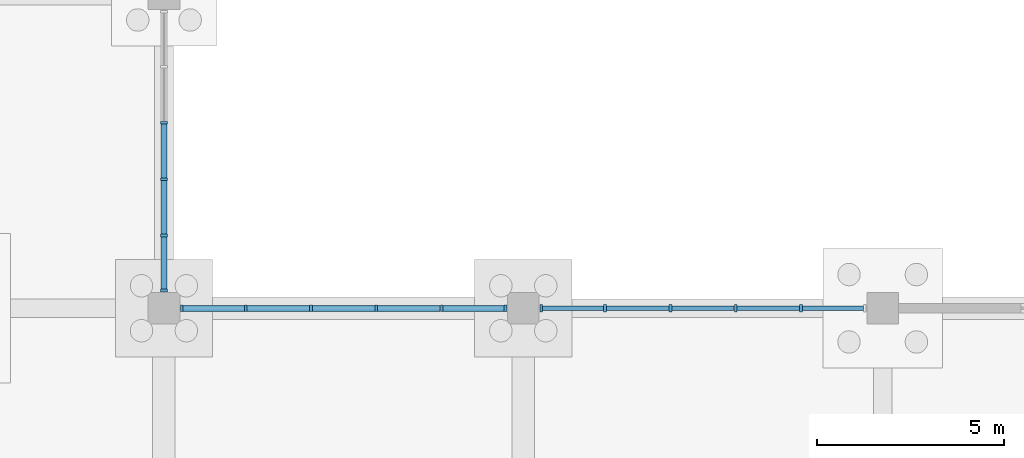
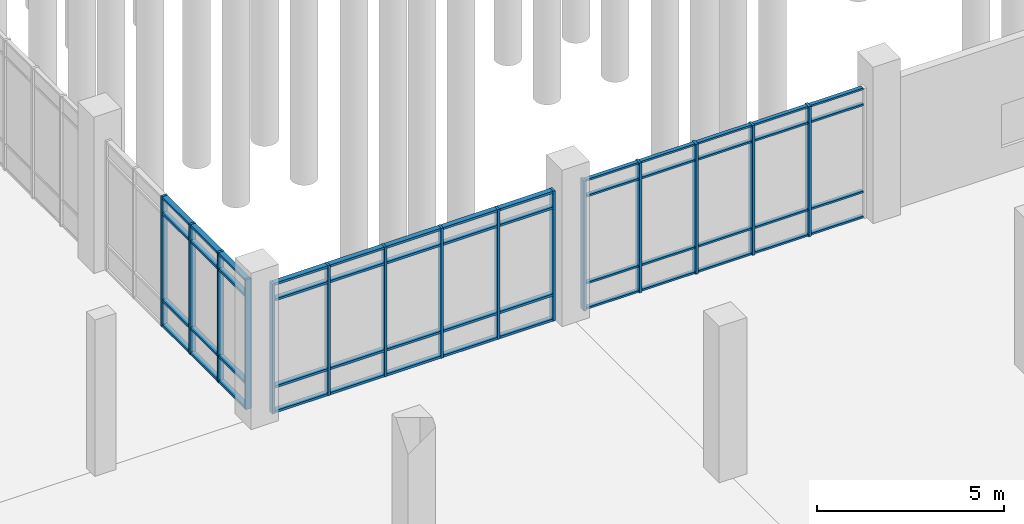
# One storey, part 59 of 136: 67 members, 3 elements without a shape of their own.
"""IFC4 building model written with IfcOpenShell, lengths in metres."""

from ifc_helpers import new_model, si_unit, direction, frame, origin, origin_2d, place, context, subcontext, project, spatial, rectangle, extrude, material, material_profile, profile_set, type_object, element, aggregate, save


model = new_model("IFC4")

# Units and contexts
model_context = context("Model", 3, precision=1e-05, world=origin(), true_north=direction((0.0, 1.0)))
body_context = subcontext(model_context, "Body", "Model", "MODEL_VIEW")
ifc_project = project(units=[si_unit("LENGTHUNIT", "METRE"), si_unit("AREAUNIT", "SQUARE_METRE"), si_unit("VOLUMEUNIT", "CUBIC_METRE"), si_unit("PLANEANGLEUNIT", "RADIAN"), si_unit("MASSUNIT", "GRAM", prefix="KILO")], contexts=[model_context])

# Site, building, storey
site_placement = place(None, origin())
site = spatial("IfcSite", under=ifc_project, at=site_placement, CompositionType="ELEMENT")
building_placement = place(site_placement, origin())
building = spatial("IfcBuilding", under=site, at=building_placement, Name="Oolite Switchyard Hospital", CompositionType="ELEMENT")
storey_placement = place(building_placement, origin())
storey = spatial("IfcBuildingStorey", under=building, at=storey_placement, Name="L00", CompositionType="ELEMENT", Elevation=0.0)

# Curtain wall, members
ifc_material_1 = material(Name="Thermally broken aluminum frame with laminated impact glazing", Category="aluminium")
curtain_wall_type_1 = type_object("IfcCurtainWallType", Name="CW-UNIT-96X51", PredefinedType="USERDEFINED", material=ifc_material_1)
curtain_wall_1_placement = place(storey_placement, origin())
curtain_wall_1 = element("IfcCurtainWall", 1, at=curtain_wall_1_placement, inside=storey, type_object=curtain_wall_type_1, Name="L00 Unitised Curtain Wall 25", ObjectType="UNITISED", PredefinedType="USERDEFINED")
ifc_material_2 = material(Name="Aluminium 6063-T6", Category="aluminium")
ifc_material_profile_1 = material_profile(ifc_material_2, rectangle(XDim=0.179931640625, YDim=0.070068359375, at=origin_2d()), Name="CWM70X180")
ifc_profile_set_1 = profile_set([ifc_material_profile_1], Name="Aluminium 6063-T6")
member_type_1 = type_object("IfcMemberType", Name="CW-MUL-220", PredefinedType="MULLION", material=ifc_profile_set_1)
member_1_placement = place(storey_placement, frame((173.27490234375, 75.60009765625, 0.0), z_axis=(0.0, 0.0, 1.0), x_axis=(0.0, 1.0, 0.0)))
member_1 = element("IfcMember", 2, at=member_1_placement, type_object=member_type_1, Name="CW-01 mullion 1", PredefinedType="MULLION", context=body_context, shape_type="SweptSolid", body=[
    extrude(rectangle(XDim=0.179931640625, YDim=0.070068359375, at=origin_2d()), origin(), (0.0, 0.0, 1.0), 4.239990234375),
])
member_2_placement = place(storey_placement, frame((174.98388671875, 75.60009765625, 0.0), z_axis=(0.0, 0.0, 1.0), x_axis=(0.0, 1.0, 0.0)))
member_2 = element("IfcMember", 3, at=member_2_placement, type_object=member_type_1, Name="CW-01 mullion 2", PredefinedType="MULLION", context=body_context, shape_type="SweptSolid", body=[
    extrude(rectangle(XDim=0.179931640625, YDim=0.070068359375, at=origin_2d()), origin(), (0.0, 0.0, 1.0), 4.239990234375),
])
member_3_placement = place(storey_placement, frame((176.72802734375, 75.60009765625, 0.0), z_axis=(0.0, 0.0, 1.0), x_axis=(0.0, 1.0, 0.0)))
member_3 = element("IfcMember", 4, at=member_3_placement, type_object=member_type_1, Name="CW-01 mullion 3", PredefinedType="MULLION", context=body_context, shape_type="SweptSolid", body=[
    extrude(rectangle(XDim=0.179931640625, YDim=0.070068359375, at=origin_2d()), origin(), (0.0, 0.0, 1.0), 4.239990234375),
])
member_4_placement = place(storey_placement, frame((178.471923828125, 75.60009765625, 0.0), z_axis=(0.0, 0.0, 1.0), x_axis=(0.0, 1.0, 0.0)))
member_4 = element("IfcMember", 5, at=member_4_placement, type_object=member_type_1, Name="CW-01 mullion 4", PredefinedType="MULLION", context=body_context, shape_type="SweptSolid", body=[
    extrude(rectangle(XDim=0.179931640625, YDim=0.070068359375, at=origin_2d()), origin(), (0.0, 0.0, 1.0), 4.239990234375),
])
member_5_placement = place(storey_placement, frame((180.216064453125, 75.60009765625, 0.0), z_axis=(0.0, 0.0, 1.0), x_axis=(0.0, 1.0, 0.0)))
member_5 = element("IfcMember", 6, at=member_5_placement, type_object=member_type_1, Name="CW-01 mullion 5", PredefinedType="MULLION", context=body_context, shape_type="SweptSolid", body=[
    extrude(rectangle(XDim=0.179931640625, YDim=0.070068359375, at=origin_2d()), origin(), (0.0, 0.0, 1.0), 4.239990234375),
])
member_6_placement = place(storey_placement, frame((181.925048828125, 75.60009765625, 0.0), z_axis=(0.0, 0.0, 1.0), x_axis=(0.0, 1.0, 0.0)))
member_6 = element("IfcMember", 7, at=member_6_placement, type_object=member_type_1, Name="CW-01 mullion 6", PredefinedType="MULLION", context=body_context, shape_type="SweptSolid", body=[
    extrude(rectangle(XDim=0.179931640625, YDim=0.070068359375, at=origin_2d()), origin(), (0.0, 0.0, 1.0), 4.239990234375),
])

curtain_wall_type_2 = type_object("IfcCurtainWallType", Name="CW-UNIT-84X51", PredefinedType="USERDEFINED", material=ifc_material_1)
curtain_wall_2_placement = place(storey_placement, origin())
curtain_wall_2 = element("IfcCurtainWall", 8, at=curtain_wall_2_placement, inside=storey, type_object=curtain_wall_type_2, Name="L00 Unitised Curtain Wall 79", ObjectType="UNITISED", PredefinedType="USERDEFINED")
member_7_placement = place(storey_placement, frame((172.800048828125, 80.552001953125, 0.0), z_axis=(0.0, 0.0, 1.0), x_axis=(1.0, 0.0, 0.0)))
member_7 = element("IfcMember", 9, at=member_7_placement, type_object=member_type_1, Name="CW-06 mullion 3", PredefinedType="MULLION", context=body_context, shape_type="SweptSolid", body=[
    extrude(rectangle(XDim=0.179931640625, YDim=0.070068359375, at=origin_2d()), origin(), (0.0, 0.0, 1.0), 4.239990234375),
])
member_8_placement = place(storey_placement, frame((172.800048828125, 79.048095703125, 0.0), z_axis=(0.0, 0.0, 1.0), x_axis=(1.0, 0.0, 0.0)))
member_8 = element("IfcMember", 10, at=member_8_placement, type_object=member_type_1, Name="CW-06 mullion 4", PredefinedType="MULLION", context=body_context, shape_type="SweptSolid", body=[
    extrude(rectangle(XDim=0.179931640625, YDim=0.070068359375, at=origin_2d()), origin(), (0.0, 0.0, 1.0), 4.239990234375),
])
member_9_placement = place(storey_placement, frame((172.800048828125, 77.5439453125, 0.0), z_axis=(0.0, 0.0, 1.0), x_axis=(1.0, 0.0, 0.0)))
member_9 = element("IfcMember", 11, at=member_9_placement, type_object=member_type_1, Name="CW-06 mullion 5", PredefinedType="MULLION", context=body_context, shape_type="SweptSolid", body=[
    extrude(rectangle(XDim=0.179931640625, YDim=0.070068359375, at=origin_2d()), origin(), (0.0, 0.0, 1.0), 4.239990234375),
])
member_10_placement = place(storey_placement, frame((172.800048828125, 76.074951171875, 0.0), z_axis=(0.0, 0.0, 1.0), x_axis=(1.0, 0.0, 0.0)))
member_10 = element("IfcMember", 12, at=member_10_placement, type_object=member_type_1, Name="CW-06 mullion 6", PredefinedType="MULLION", context=body_context, shape_type="SweptSolid", body=[
    extrude(rectangle(XDim=0.179931640625, YDim=0.070068359375, at=origin_2d()), origin(), (0.0, 0.0, 1.0), 4.239990234375),
])

curtain_wall_3_placement = place(storey_placement, origin())
curtain_wall_3 = element("IfcCurtainWall", 13, at=curtain_wall_3_placement, inside=storey, type_object=curtain_wall_type_1, Name="L00 Unitised Curtain Wall 26", ObjectType="UNITISED", PredefinedType="USERDEFINED")
ifc_material_profile_2 = material_profile(ifc_material_2, rectangle(XDim=0.199951171875, YDim=0.074951171875, at=origin_2d()), Name="CWM75X200")
ifc_profile_set_2 = profile_set([ifc_material_profile_2], Name="Aluminium 6063-T6")
member_type_2 = type_object("IfcMemberType", Name="CW-MUL-260", PredefinedType="MULLION", material=ifc_profile_set_2)
member_11_placement = place(storey_placement, frame((182.87744140625, 75.60009765625, 0.0), z_axis=(0.0, 0.0, 1.0), x_axis=(0.0, 1.0, 0.0)))
member_11 = element("IfcMember", 14, at=member_11_placement, type_object=member_type_2, Name="CW-01 mullion 1", PredefinedType="MULLION", context=body_context, shape_type="SweptSolid", body=[
    extrude(rectangle(XDim=0.199951171875, YDim=0.074951171875, at=origin_2d()), origin(), (0.0, 0.0, 1.0), 4.239990234375),
])
member_12_placement = place(storey_placement, frame((184.583984375, 75.60009765625, 0.0), z_axis=(0.0, 0.0, 1.0), x_axis=(0.0, 1.0, 0.0)))
member_12 = element("IfcMember", 15, at=member_12_placement, type_object=member_type_2, Name="CW-01 mullion 2", PredefinedType="MULLION", context=body_context, shape_type="SweptSolid", body=[
    extrude(rectangle(XDim=0.199951171875, YDim=0.074951171875, at=origin_2d()), origin(), (0.0, 0.0, 1.0), 4.239990234375),
])
member_13_placement = place(storey_placement, frame((186.327880859375, 75.60009765625, 0.0), z_axis=(0.0, 0.0, 1.0), x_axis=(0.0, 1.0, 0.0)))
member_13 = element("IfcMember", 16, at=member_13_placement, type_object=member_type_2, Name="CW-01 mullion 3", PredefinedType="MULLION", context=body_context, shape_type="SweptSolid", body=[
    extrude(rectangle(XDim=0.199951171875, YDim=0.074951171875, at=origin_2d()), origin(), (0.0, 0.0, 1.0), 4.239990234375),
])
member_14_placement = place(storey_placement, frame((188.072021484375, 75.60009765625, 0.0), z_axis=(0.0, 0.0, 1.0), x_axis=(0.0, 1.0, 0.0)))
member_14 = element("IfcMember", 17, at=member_14_placement, type_object=member_type_2, Name="CW-01 mullion 4", PredefinedType="MULLION", context=body_context, shape_type="SweptSolid", body=[
    extrude(rectangle(XDim=0.199951171875, YDim=0.074951171875, at=origin_2d()), origin(), (0.0, 0.0, 1.0), 4.239990234375),
])
member_15_placement = place(storey_placement, frame((189.81591796875, 75.60009765625, 0.0), z_axis=(0.0, 0.0, 1.0), x_axis=(0.0, 1.0, 0.0)))
member_15 = element("IfcMember", 18, at=member_15_placement, type_object=member_type_2, Name="CW-01 mullion 5", PredefinedType="MULLION", context=body_context, shape_type="SweptSolid", body=[
    extrude(rectangle(XDim=0.199951171875, YDim=0.074951171875, at=origin_2d()), origin(), (0.0, 0.0, 1.0), 4.239990234375),
])
ifc_material_profile_3 = material_profile(ifc_material_2, rectangle(XDim=0.1201171875, YDim=0.06005859375, at=origin_2d()), Name="CWT60X120")
ifc_profile_set_3 = profile_set([ifc_material_profile_3], Name="Aluminium 6063-T6")
member_type_3 = type_object("IfcMemberType", Name="CW-TRN-150", PredefinedType="USERDEFINED", material=ifc_profile_set_3)
member_16_placement = place(storey_placement, frame((182.9150390625, 75.60009765625, 0.030029296875), z_axis=(1.0, 0.0, 0.0), x_axis=(0.0, 1.0, 0.0)))
member_16 = element("IfcMember", 19, at=member_16_placement, type_object=member_type_3, Name="CW-01 transom 1.1", ObjectType="TRANSOM", PredefinedType="USERDEFINED", context=body_context, shape_type="SweptSolid", body=[
    extrude(rectangle(XDim=0.1201171875, YDim=0.06005859375, at=origin_2d()), origin(), (0.0, 0.0, 1.0), 1.63134765625),
])
member_17_placement = place(storey_placement, frame((182.9150390625, 75.60009765625, 0.85009765625), z_axis=(1.0, 0.0, 0.0), x_axis=(0.0, 1.0, 0.0)))
member_17 = element("IfcMember", 20, at=member_17_placement, type_object=member_type_3, Name="CW-01 transom 1.2", ObjectType="TRANSOM", PredefinedType="USERDEFINED", context=body_context, shape_type="SweptSolid", body=[
    extrude(rectangle(XDim=0.1201171875, YDim=0.06005859375, at=origin_2d()), origin(), (0.0, 0.0, 1.0), 1.63134765625),
])
member_18_placement = place(storey_placement, frame((182.9150390625, 75.60009765625, 3.68994140625), z_axis=(1.0, 0.0, 0.0), x_axis=(0.0, 1.0, 0.0)))
member_18 = element("IfcMember", 21, at=member_18_placement, type_object=member_type_3, Name="CW-01 transom 1.3", ObjectType="TRANSOM", PredefinedType="USERDEFINED", context=body_context, shape_type="SweptSolid", body=[
    extrude(rectangle(XDim=0.1201171875, YDim=0.06005859375, at=origin_2d()), origin(), (0.0, 0.0, 1.0), 1.63134765625),
])
member_19_placement = place(storey_placement, frame((182.9150390625, 75.60009765625, 4.2099609375), z_axis=(1.0, 0.0, 0.0), x_axis=(0.0, 1.0, 0.0)))
member_19 = element("IfcMember", 22, at=member_19_placement, type_object=member_type_3, Name="CW-01 transom 1.4", ObjectType="TRANSOM", PredefinedType="USERDEFINED", context=body_context, shape_type="SweptSolid", body=[
    extrude(rectangle(XDim=0.1201171875, YDim=0.06005859375, at=origin_2d()), origin(), (0.0, 0.0, 1.0), 1.63134765625),
])
member_20_placement = place(storey_placement, frame((184.62158203125, 75.60009765625, 0.030029296875), z_axis=(1.0, 0.0, 0.0), x_axis=(0.0, 1.0, 0.0)))
member_20 = element("IfcMember", 23, at=member_20_placement, type_object=member_type_3, Name="CW-01 transom 2.1", ObjectType="TRANSOM", PredefinedType="USERDEFINED", context=body_context, shape_type="SweptSolid", body=[
    extrude(rectangle(XDim=0.1201171875, YDim=0.06005859375, at=origin_2d()), origin(), (0.0, 0.0, 1.0), 1.6689453125),
])
member_21_placement = place(storey_placement, frame((184.62158203125, 75.60009765625, 0.85009765625), z_axis=(1.0, 0.0, 0.0), x_axis=(0.0, 1.0, 0.0)))
member_21 = element("IfcMember", 24, at=member_21_placement, type_object=member_type_3, Name="CW-01 transom 2.2", ObjectType="TRANSOM", PredefinedType="USERDEFINED", context=body_context, shape_type="SweptSolid", body=[
    extrude(rectangle(XDim=0.1201171875, YDim=0.06005859375, at=origin_2d()), origin(), (0.0, 0.0, 1.0), 1.6689453125),
])
member_22_placement = place(storey_placement, frame((184.62158203125, 75.60009765625, 3.68994140625), z_axis=(1.0, 0.0, 0.0), x_axis=(0.0, 1.0, 0.0)))
member_22 = element("IfcMember", 25, at=member_22_placement, type_object=member_type_3, Name="CW-01 transom 2.3", ObjectType="TRANSOM", PredefinedType="USERDEFINED", context=body_context, shape_type="SweptSolid", body=[
    extrude(rectangle(XDim=0.1201171875, YDim=0.06005859375, at=origin_2d()), origin(), (0.0, 0.0, 1.0), 1.6689453125),
])
member_23_placement = place(storey_placement, frame((184.62158203125, 75.60009765625, 4.2099609375), z_axis=(1.0, 0.0, 0.0), x_axis=(0.0, 1.0, 0.0)))
member_23 = element("IfcMember", 26, at=member_23_placement, type_object=member_type_3, Name="CW-01 transom 2.4", ObjectType="TRANSOM", PredefinedType="USERDEFINED", context=body_context, shape_type="SweptSolid", body=[
    extrude(rectangle(XDim=0.1201171875, YDim=0.06005859375, at=origin_2d()), origin(), (0.0, 0.0, 1.0), 1.6689453125),
])
member_24_placement = place(storey_placement, frame((186.365478515625, 75.60009765625, 0.030029296875), z_axis=(1.0, 0.0, 0.0), x_axis=(0.0, 1.0, 0.0)))
member_24 = element("IfcMember", 27, at=member_24_placement, type_object=member_type_3, Name="CW-01 transom 3.1", ObjectType="TRANSOM", PredefinedType="USERDEFINED", context=body_context, shape_type="SweptSolid", body=[
    extrude(rectangle(XDim=0.1201171875, YDim=0.06005859375, at=origin_2d()), origin(), (0.0, 0.0, 1.0), 1.6689453125),
])
member_25_placement = place(storey_placement, frame((186.365478515625, 75.60009765625, 0.85009765625), z_axis=(1.0, 0.0, 0.0), x_axis=(0.0, 1.0, 0.0)))
member_25 = element("IfcMember", 28, at=member_25_placement, type_object=member_type_3, Name="CW-01 transom 3.2", ObjectType="TRANSOM", PredefinedType="USERDEFINED", context=body_context, shape_type="SweptSolid", body=[
    extrude(rectangle(XDim=0.1201171875, YDim=0.06005859375, at=origin_2d()), origin(), (0.0, 0.0, 1.0), 1.6689453125),
])
member_26_placement = place(storey_placement, frame((186.365478515625, 75.60009765625, 3.68994140625), z_axis=(1.0, 0.0, 0.0), x_axis=(0.0, 1.0, 0.0)))
member_26 = element("IfcMember", 29, at=member_26_placement, type_object=member_type_3, Name="CW-01 transom 3.3", ObjectType="TRANSOM", PredefinedType="USERDEFINED", context=body_context, shape_type="SweptSolid", body=[
    extrude(rectangle(XDim=0.1201171875, YDim=0.06005859375, at=origin_2d()), origin(), (0.0, 0.0, 1.0), 1.6689453125),
])
member_27_placement = place(storey_placement, frame((186.365478515625, 75.60009765625, 4.2099609375), z_axis=(1.0, 0.0, 0.0), x_axis=(0.0, 1.0, 0.0)))
member_27 = element("IfcMember", 30, at=member_27_placement, type_object=member_type_3, Name="CW-01 transom 3.4", ObjectType="TRANSOM", PredefinedType="USERDEFINED", context=body_context, shape_type="SweptSolid", body=[
    extrude(rectangle(XDim=0.1201171875, YDim=0.06005859375, at=origin_2d()), origin(), (0.0, 0.0, 1.0), 1.6689453125),
])
member_28_placement = place(storey_placement, frame((188.109619140625, 75.60009765625, 0.030029296875), z_axis=(1.0, 0.0, 0.0), x_axis=(0.0, 1.0, 0.0)))
member_28 = element("IfcMember", 31, at=member_28_placement, type_object=member_type_3, Name="CW-01 transom 4.1", ObjectType="TRANSOM", PredefinedType="USERDEFINED", context=body_context, shape_type="SweptSolid", body=[
    extrude(rectangle(XDim=0.1201171875, YDim=0.06005859375, at=origin_2d()), origin(), (0.0, 0.0, 1.0), 1.6689453125),
])
member_29_placement = place(storey_placement, frame((188.109619140625, 75.60009765625, 0.85009765625), z_axis=(1.0, 0.0, 0.0), x_axis=(0.0, 1.0, 0.0)))
member_29 = element("IfcMember", 32, at=member_29_placement, type_object=member_type_3, Name="CW-01 transom 4.2", ObjectType="TRANSOM", PredefinedType="USERDEFINED", context=body_context, shape_type="SweptSolid", body=[
    extrude(rectangle(XDim=0.1201171875, YDim=0.06005859375, at=origin_2d()), origin(), (0.0, 0.0, 1.0), 1.6689453125),
])
member_30_placement = place(storey_placement, frame((188.109619140625, 75.60009765625, 3.68994140625), z_axis=(1.0, 0.0, 0.0), x_axis=(0.0, 1.0, 0.0)))
member_30 = element("IfcMember", 33, at=member_30_placement, type_object=member_type_3, Name="CW-01 transom 4.3", ObjectType="TRANSOM", PredefinedType="USERDEFINED", context=body_context, shape_type="SweptSolid", body=[
    extrude(rectangle(XDim=0.1201171875, YDim=0.06005859375, at=origin_2d()), origin(), (0.0, 0.0, 1.0), 1.6689453125),
])
member_31_placement = place(storey_placement, frame((188.109619140625, 75.60009765625, 4.2099609375), z_axis=(1.0, 0.0, 0.0), x_axis=(0.0, 1.0, 0.0)))
member_31 = element("IfcMember", 34, at=member_31_placement, type_object=member_type_3, Name="CW-01 transom 4.4", ObjectType="TRANSOM", PredefinedType="USERDEFINED", context=body_context, shape_type="SweptSolid", body=[
    extrude(rectangle(XDim=0.1201171875, YDim=0.06005859375, at=origin_2d()), origin(), (0.0, 0.0, 1.0), 1.6689453125),
])
member_32_placement = place(storey_placement, frame((189.853515625, 75.60009765625, 0.030029296875), z_axis=(1.0, 0.0, 0.0), x_axis=(0.0, 1.0, 0.0)))
member_32 = element("IfcMember", 35, at=member_32_placement, type_object=member_type_3, Name="CW-01 transom 5.1", ObjectType="TRANSOM", PredefinedType="USERDEFINED", context=body_context, shape_type="SweptSolid", body=[
    extrude(rectangle(XDim=0.1201171875, YDim=0.06005859375, at=origin_2d()), origin(), (0.0, 0.0, 1.0), 1.631591796875),
])
member_33_placement = place(storey_placement, frame((189.853515625, 75.60009765625, 0.85009765625), z_axis=(1.0, 0.0, 0.0), x_axis=(0.0, 1.0, 0.0)))
member_33 = element("IfcMember", 36, at=member_33_placement, type_object=member_type_3, Name="CW-01 transom 5.2", ObjectType="TRANSOM", PredefinedType="USERDEFINED", context=body_context, shape_type="SweptSolid", body=[
    extrude(rectangle(XDim=0.1201171875, YDim=0.06005859375, at=origin_2d()), origin(), (0.0, 0.0, 1.0), 1.631591796875),
])
member_34_placement = place(storey_placement, frame((189.853515625, 75.60009765625, 3.68994140625), z_axis=(1.0, 0.0, 0.0), x_axis=(0.0, 1.0, 0.0)))
member_34 = element("IfcMember", 37, at=member_34_placement, type_object=member_type_3, Name="CW-01 transom 5.3", ObjectType="TRANSOM", PredefinedType="USERDEFINED", context=body_context, shape_type="SweptSolid", body=[
    extrude(rectangle(XDim=0.1201171875, YDim=0.06005859375, at=origin_2d()), origin(), (0.0, 0.0, 1.0), 1.631591796875),
])
member_35_placement = place(storey_placement, frame((189.853515625, 75.60009765625, 4.2099609375), z_axis=(1.0, 0.0, 0.0), x_axis=(0.0, 1.0, 0.0)))
member_35 = element("IfcMember", 38, at=member_35_placement, type_object=member_type_3, Name="CW-01 transom 5.4", ObjectType="TRANSOM", PredefinedType="USERDEFINED", context=body_context, shape_type="SweptSolid", body=[
    extrude(rectangle(XDim=0.1201171875, YDim=0.06005859375, at=origin_2d()), origin(), (0.0, 0.0, 1.0), 1.631591796875),
])
aggregate(curtain_wall_3, [member_11, member_12, member_13, member_14, member_15, member_16, member_17, member_18, member_19, member_20, member_21, member_22, member_23, member_24, member_25, member_26, member_27, member_28, member_29, member_30, member_31, member_32, member_33, member_34, member_35])

# Member
ifc_material_profile_4 = material_profile(ifc_material_2, rectangle(XDim=0.159912109375, YDim=0.074951171875, at=origin_2d()), Name="CWT75X160")
ifc_profile_set_4 = profile_set([ifc_material_profile_4], Name="Aluminium 6063-T6")
member_type_4 = type_object("IfcMemberType", Name="CW-TRN-180", PredefinedType="USERDEFINED", material=ifc_profile_set_4)
member_36_placement = place(storey_placement, frame((173.31005859375, 75.60009765625, 0.03759765625), z_axis=(1.0, 0.0, 0.0), x_axis=(0.0, 1.0, 0.0)))
member_36 = element("IfcMember", 39, at=member_36_placement, type_object=member_type_4, Name="CW-01 transom 1.1", ObjectType="TRANSOM", PredefinedType="USERDEFINED", context=body_context, shape_type="SweptSolid", body=[
    extrude(rectangle(XDim=0.159912109375, YDim=0.074951171875, at=origin_2d()), origin(), (0.0, 0.0, 1.0), 1.638916015625),
])

member_37_placement = place(storey_placement, frame((173.31005859375, 75.60009765625, 0.85009765625), z_axis=(1.0, 0.0, 0.0), x_axis=(0.0, 1.0, 0.0)))
member_37 = element("IfcMember", 40, at=member_37_placement, type_object=member_type_4, Name="CW-01 transom 1.2", ObjectType="TRANSOM", PredefinedType="USERDEFINED", context=body_context, shape_type="SweptSolid", body=[
    extrude(rectangle(XDim=0.159912109375, YDim=0.074951171875, at=origin_2d()), origin(), (0.0, 0.0, 1.0), 1.638916015625),
])

member_38_placement = place(storey_placement, frame((173.31005859375, 75.60009765625, 3.68994140625), z_axis=(1.0, 0.0, 0.0), x_axis=(0.0, 1.0, 0.0)))
member_38 = element("IfcMember", 41, at=member_38_placement, type_object=member_type_4, Name="CW-01 transom 1.3", ObjectType="TRANSOM", PredefinedType="USERDEFINED", context=body_context, shape_type="SweptSolid", body=[
    extrude(rectangle(XDim=0.159912109375, YDim=0.074951171875, at=origin_2d()), origin(), (0.0, 0.0, 1.0), 1.638916015625),
])

member_39_placement = place(storey_placement, frame((173.31005859375, 75.60009765625, 4.202392578125), z_axis=(1.0, 0.0, 0.0), x_axis=(0.0, 1.0, 0.0)))
member_39 = element("IfcMember", 42, at=member_39_placement, type_object=member_type_4, Name="CW-01 transom 1.4", ObjectType="TRANSOM", PredefinedType="USERDEFINED", context=body_context, shape_type="SweptSolid", body=[
    extrude(rectangle(XDim=0.159912109375, YDim=0.074951171875, at=origin_2d()), origin(), (0.0, 0.0, 1.0), 1.638916015625),
])

member_40_placement = place(storey_placement, frame((175.01904296875, 75.60009765625, 0.03759765625), z_axis=(1.0, 0.0, 0.0), x_axis=(0.0, 1.0, 0.0)))
member_40 = element("IfcMember", 43, at=member_40_placement, type_object=member_type_4, Name="CW-01 transom 2.1", ObjectType="TRANSOM", PredefinedType="USERDEFINED", context=body_context, shape_type="SweptSolid", body=[
    extrude(rectangle(XDim=0.159912109375, YDim=0.074951171875, at=origin_2d()), origin(), (0.0, 0.0, 1.0), 1.674072265625),
])

member_41_placement = place(storey_placement, frame((175.01904296875, 75.60009765625, 0.85009765625), z_axis=(1.0, 0.0, 0.0), x_axis=(0.0, 1.0, 0.0)))
member_41 = element("IfcMember", 44, at=member_41_placement, type_object=member_type_4, Name="CW-01 transom 2.2", ObjectType="TRANSOM", PredefinedType="USERDEFINED", context=body_context, shape_type="SweptSolid", body=[
    extrude(rectangle(XDim=0.159912109375, YDim=0.074951171875, at=origin_2d()), origin(), (0.0, 0.0, 1.0), 1.674072265625),
])

member_42_placement = place(storey_placement, frame((175.01904296875, 75.60009765625, 3.68994140625), z_axis=(1.0, 0.0, 0.0), x_axis=(0.0, 1.0, 0.0)))
member_42 = element("IfcMember", 45, at=member_42_placement, type_object=member_type_4, Name="CW-01 transom 2.3", ObjectType="TRANSOM", PredefinedType="USERDEFINED", context=body_context, shape_type="SweptSolid", body=[
    extrude(rectangle(XDim=0.159912109375, YDim=0.074951171875, at=origin_2d()), origin(), (0.0, 0.0, 1.0), 1.674072265625),
])

member_43_placement = place(storey_placement, frame((175.01904296875, 75.60009765625, 4.202392578125), z_axis=(1.0, 0.0, 0.0), x_axis=(0.0, 1.0, 0.0)))
member_43 = element("IfcMember", 46, at=member_43_placement, type_object=member_type_4, Name="CW-01 transom 2.4", ObjectType="TRANSOM", PredefinedType="USERDEFINED", context=body_context, shape_type="SweptSolid", body=[
    extrude(rectangle(XDim=0.159912109375, YDim=0.074951171875, at=origin_2d()), origin(), (0.0, 0.0, 1.0), 1.674072265625),
])

member_44_placement = place(storey_placement, frame((176.762939453125, 75.60009765625, 0.03759765625), z_axis=(1.0, 0.0, 0.0), x_axis=(0.0, 1.0, 0.0)))
member_44 = element("IfcMember", 47, at=member_44_placement, type_object=member_type_4, Name="CW-01 transom 3.1", ObjectType="TRANSOM", PredefinedType="USERDEFINED", context=body_context, shape_type="SweptSolid", body=[
    extrude(rectangle(XDim=0.159912109375, YDim=0.074951171875, at=origin_2d()), origin(), (0.0, 0.0, 1.0), 1.674072265625),
])

member_45_placement = place(storey_placement, frame((176.762939453125, 75.60009765625, 0.85009765625), z_axis=(1.0, 0.0, 0.0), x_axis=(0.0, 1.0, 0.0)))
member_45 = element("IfcMember", 48, at=member_45_placement, type_object=member_type_4, Name="CW-01 transom 3.2", ObjectType="TRANSOM", PredefinedType="USERDEFINED", context=body_context, shape_type="SweptSolid", body=[
    extrude(rectangle(XDim=0.159912109375, YDim=0.074951171875, at=origin_2d()), origin(), (0.0, 0.0, 1.0), 1.674072265625),
])

member_46_placement = place(storey_placement, frame((176.762939453125, 75.60009765625, 3.68994140625), z_axis=(1.0, 0.0, 0.0), x_axis=(0.0, 1.0, 0.0)))
member_46 = element("IfcMember", 49, at=member_46_placement, type_object=member_type_4, Name="CW-01 transom 3.3", ObjectType="TRANSOM", PredefinedType="USERDEFINED", context=body_context, shape_type="SweptSolid", body=[
    extrude(rectangle(XDim=0.159912109375, YDim=0.074951171875, at=origin_2d()), origin(), (0.0, 0.0, 1.0), 1.674072265625),
])

member_47_placement = place(storey_placement, frame((176.762939453125, 75.60009765625, 4.202392578125), z_axis=(1.0, 0.0, 0.0), x_axis=(0.0, 1.0, 0.0)))
member_47 = element("IfcMember", 50, at=member_47_placement, type_object=member_type_4, Name="CW-01 transom 3.4", ObjectType="TRANSOM", PredefinedType="USERDEFINED", context=body_context, shape_type="SweptSolid", body=[
    extrude(rectangle(XDim=0.159912109375, YDim=0.074951171875, at=origin_2d()), origin(), (0.0, 0.0, 1.0), 1.674072265625),
])

member_48_placement = place(storey_placement, frame((178.507080078125, 75.60009765625, 0.03759765625), z_axis=(1.0, 0.0, 0.0), x_axis=(0.0, 1.0, 0.0)))
member_48 = element("IfcMember", 51, at=member_48_placement, type_object=member_type_4, Name="CW-01 transom 4.1", ObjectType="TRANSOM", PredefinedType="USERDEFINED", context=body_context, shape_type="SweptSolid", body=[
    extrude(rectangle(XDim=0.159912109375, YDim=0.074951171875, at=origin_2d()), origin(), (0.0, 0.0, 1.0), 1.673828125),
])

member_49_placement = place(storey_placement, frame((178.507080078125, 75.60009765625, 0.85009765625), z_axis=(1.0, 0.0, 0.0), x_axis=(0.0, 1.0, 0.0)))
member_49 = element("IfcMember", 52, at=member_49_placement, type_object=member_type_4, Name="CW-01 transom 4.2", ObjectType="TRANSOM", PredefinedType="USERDEFINED", context=body_context, shape_type="SweptSolid", body=[
    extrude(rectangle(XDim=0.159912109375, YDim=0.074951171875, at=origin_2d()), origin(), (0.0, 0.0, 1.0), 1.673828125),
])

member_50_placement = place(storey_placement, frame((178.507080078125, 75.60009765625, 3.68994140625), z_axis=(1.0, 0.0, 0.0), x_axis=(0.0, 1.0, 0.0)))
member_50 = element("IfcMember", 53, at=member_50_placement, type_object=member_type_4, Name="CW-01 transom 4.3", ObjectType="TRANSOM", PredefinedType="USERDEFINED", context=body_context, shape_type="SweptSolid", body=[
    extrude(rectangle(XDim=0.159912109375, YDim=0.074951171875, at=origin_2d()), origin(), (0.0, 0.0, 1.0), 1.673828125),
])

member_51_placement = place(storey_placement, frame((178.507080078125, 75.60009765625, 4.202392578125), z_axis=(1.0, 0.0, 0.0), x_axis=(0.0, 1.0, 0.0)))
member_51 = element("IfcMember", 54, at=member_51_placement, type_object=member_type_4, Name="CW-01 transom 4.4", ObjectType="TRANSOM", PredefinedType="USERDEFINED", context=body_context, shape_type="SweptSolid", body=[
    extrude(rectangle(XDim=0.159912109375, YDim=0.074951171875, at=origin_2d()), origin(), (0.0, 0.0, 1.0), 1.673828125),
])

member_52_placement = place(storey_placement, frame((180.2509765625, 75.60009765625, 0.03759765625), z_axis=(1.0, 0.0, 0.0), x_axis=(0.0, 1.0, 0.0)))
member_52 = element("IfcMember", 55, at=member_52_placement, type_object=member_type_4, Name="CW-01 transom 5.1", ObjectType="TRANSOM", PredefinedType="USERDEFINED", context=body_context, shape_type="SweptSolid", body=[
    extrude(rectangle(XDim=0.159912109375, YDim=0.074951171875, at=origin_2d()), origin(), (0.0, 0.0, 1.0), 1.638916015625),
])

member_53_placement = place(storey_placement, frame((180.2509765625, 75.60009765625, 0.85009765625), z_axis=(1.0, 0.0, 0.0), x_axis=(0.0, 1.0, 0.0)))
member_53 = element("IfcMember", 56, at=member_53_placement, type_object=member_type_4, Name="CW-01 transom 5.2", ObjectType="TRANSOM", PredefinedType="USERDEFINED", context=body_context, shape_type="SweptSolid", body=[
    extrude(rectangle(XDim=0.159912109375, YDim=0.074951171875, at=origin_2d()), origin(), (0.0, 0.0, 1.0), 1.638916015625),
])

member_54_placement = place(storey_placement, frame((180.2509765625, 75.60009765625, 3.68994140625), z_axis=(1.0, 0.0, 0.0), x_axis=(0.0, 1.0, 0.0)))
member_54 = element("IfcMember", 57, at=member_54_placement, type_object=member_type_4, Name="CW-01 transom 5.3", ObjectType="TRANSOM", PredefinedType="USERDEFINED", context=body_context, shape_type="SweptSolid", body=[
    extrude(rectangle(XDim=0.159912109375, YDim=0.074951171875, at=origin_2d()), origin(), (0.0, 0.0, 1.0), 1.638916015625),
])

member_55_placement = place(storey_placement, frame((180.2509765625, 75.60009765625, 4.202392578125), z_axis=(1.0, 0.0, 0.0), x_axis=(0.0, 1.0, 0.0)))
member_55 = element("IfcMember", 58, at=member_55_placement, type_object=member_type_4, Name="CW-01 transom 5.4", ObjectType="TRANSOM", PredefinedType="USERDEFINED", context=body_context, shape_type="SweptSolid", body=[
    extrude(rectangle(XDim=0.159912109375, YDim=0.074951171875, at=origin_2d()), origin(), (0.0, 0.0, 1.0), 1.638916015625),
])

aggregate(curtain_wall_1, [member_1, member_2, member_3, member_4, member_5, member_6, member_36, member_37, member_38, member_39, member_40, member_41, member_42, member_43, member_44, member_45, member_46, member_47, member_48, member_49, member_50, member_51, member_52, member_53, member_54, member_55])

member_56_placement = place(storey_placement, frame((172.800048828125, 80.51708984375, 0.03759765625), z_axis=(0.0, -1.0, 0.0), x_axis=(1.0, 0.0, 0.0)))
member_56 = element("IfcMember", 59, at=member_56_placement, type_object=member_type_4, Name="CW-06 transom 3.1", ObjectType="TRANSOM", PredefinedType="USERDEFINED", context=body_context, shape_type="SweptSolid", body=[
    extrude(rectangle(XDim=0.159912109375, YDim=0.074951171875, at=origin_2d()), origin(), (0.0, 0.0, 1.0), 1.43408203125),
])

member_57_placement = place(storey_placement, frame((172.800048828125, 80.51708984375, 0.85009765625), z_axis=(0.0, -1.0, 0.0), x_axis=(1.0, 0.0, 0.0)))
member_57 = element("IfcMember", 60, at=member_57_placement, type_object=member_type_4, Name="CW-06 transom 3.2", ObjectType="TRANSOM", PredefinedType="USERDEFINED", context=body_context, shape_type="SweptSolid", body=[
    extrude(rectangle(XDim=0.159912109375, YDim=0.074951171875, at=origin_2d()), origin(), (0.0, 0.0, 1.0), 1.43408203125),
])

member_58_placement = place(storey_placement, frame((172.800048828125, 80.51708984375, 3.68994140625), z_axis=(0.0, -1.0, 0.0), x_axis=(1.0, 0.0, 0.0)))
member_58 = element("IfcMember", 61, at=member_58_placement, type_object=member_type_4, Name="CW-06 transom 3.3", ObjectType="TRANSOM", PredefinedType="USERDEFINED", context=body_context, shape_type="SweptSolid", body=[
    extrude(rectangle(XDim=0.159912109375, YDim=0.074951171875, at=origin_2d()), origin(), (0.0, 0.0, 1.0), 1.43408203125),
])

member_59_placement = place(storey_placement, frame((172.800048828125, 80.51708984375, 4.202392578125), z_axis=(0.0, -1.0, 0.0), x_axis=(1.0, 0.0, 0.0)))
member_59 = element("IfcMember", 62, at=member_59_placement, type_object=member_type_4, Name="CW-06 transom 3.4", ObjectType="TRANSOM", PredefinedType="USERDEFINED", context=body_context, shape_type="SweptSolid", body=[
    extrude(rectangle(XDim=0.159912109375, YDim=0.074951171875, at=origin_2d()), origin(), (0.0, 0.0, 1.0), 1.43408203125),
])

member_60_placement = place(storey_placement, frame((172.800048828125, 79.012939453125, 0.03759765625), z_axis=(0.0, -1.0, 0.0), x_axis=(1.0, 0.0, 0.0)))
member_60 = element("IfcMember", 63, at=member_60_placement, type_object=member_type_4, Name="CW-06 transom 4.1", ObjectType="TRANSOM", PredefinedType="USERDEFINED", context=body_context, shape_type="SweptSolid", body=[
    extrude(rectangle(XDim=0.159912109375, YDim=0.074951171875, at=origin_2d()), origin(), (0.0, 0.0, 1.0), 1.433837890625),
])

member_61_placement = place(storey_placement, frame((172.800048828125, 79.012939453125, 0.85009765625), z_axis=(0.0, -1.0, 0.0), x_axis=(1.0, 0.0, 0.0)))
member_61 = element("IfcMember", 64, at=member_61_placement, type_object=member_type_4, Name="CW-06 transom 4.2", ObjectType="TRANSOM", PredefinedType="USERDEFINED", context=body_context, shape_type="SweptSolid", body=[
    extrude(rectangle(XDim=0.159912109375, YDim=0.074951171875, at=origin_2d()), origin(), (0.0, 0.0, 1.0), 1.433837890625),
])

member_62_placement = place(storey_placement, frame((172.800048828125, 79.012939453125, 3.68994140625), z_axis=(0.0, -1.0, 0.0), x_axis=(1.0, 0.0, 0.0)))
member_62 = element("IfcMember", 65, at=member_62_placement, type_object=member_type_4, Name="CW-06 transom 4.3", ObjectType="TRANSOM", PredefinedType="USERDEFINED", context=body_context, shape_type="SweptSolid", body=[
    extrude(rectangle(XDim=0.159912109375, YDim=0.074951171875, at=origin_2d()), origin(), (0.0, 0.0, 1.0), 1.433837890625),
])

member_63_placement = place(storey_placement, frame((172.800048828125, 79.012939453125, 4.202392578125), z_axis=(0.0, -1.0, 0.0), x_axis=(1.0, 0.0, 0.0)))
member_63 = element("IfcMember", 66, at=member_63_placement, type_object=member_type_4, Name="CW-06 transom 4.4", ObjectType="TRANSOM", PredefinedType="USERDEFINED", context=body_context, shape_type="SweptSolid", body=[
    extrude(rectangle(XDim=0.159912109375, YDim=0.074951171875, at=origin_2d()), origin(), (0.0, 0.0, 1.0), 1.433837890625),
])

member_64_placement = place(storey_placement, frame((172.800048828125, 77.509033203125, 0.03759765625), z_axis=(0.0, -1.0, 0.0), x_axis=(1.0, 0.0, 0.0)))
member_64 = element("IfcMember", 67, at=member_64_placement, type_object=member_type_4, Name="CW-06 transom 5.1", ObjectType="TRANSOM", PredefinedType="USERDEFINED", context=body_context, shape_type="SweptSolid", body=[
    extrude(rectangle(XDim=0.159912109375, YDim=0.074951171875, at=origin_2d()), origin(), (0.0, 0.0, 1.0), 1.39892578125),
])

member_65_placement = place(storey_placement, frame((172.800048828125, 77.509033203125, 0.85009765625), z_axis=(0.0, -1.0, 0.0), x_axis=(1.0, 0.0, 0.0)))
member_65 = element("IfcMember", 68, at=member_65_placement, type_object=member_type_4, Name="CW-06 transom 5.2", ObjectType="TRANSOM", PredefinedType="USERDEFINED", context=body_context, shape_type="SweptSolid", body=[
    extrude(rectangle(XDim=0.159912109375, YDim=0.074951171875, at=origin_2d()), origin(), (0.0, 0.0, 1.0), 1.39892578125),
])

member_66_placement = place(storey_placement, frame((172.800048828125, 77.509033203125, 3.68994140625), z_axis=(0.0, -1.0, 0.0), x_axis=(1.0, 0.0, 0.0)))
member_66 = element("IfcMember", 69, at=member_66_placement, type_object=member_type_4, Name="CW-06 transom 5.3", ObjectType="TRANSOM", PredefinedType="USERDEFINED", context=body_context, shape_type="SweptSolid", body=[
    extrude(rectangle(XDim=0.159912109375, YDim=0.074951171875, at=origin_2d()), origin(), (0.0, 0.0, 1.0), 1.39892578125),
])

member_67_placement = place(storey_placement, frame((172.800048828125, 77.509033203125, 4.202392578125), z_axis=(0.0, -1.0, 0.0), x_axis=(1.0, 0.0, 0.0)))
member_67 = element("IfcMember", 70, at=member_67_placement, type_object=member_type_4, Name="CW-06 transom 5.4", ObjectType="TRANSOM", PredefinedType="USERDEFINED", context=body_context, shape_type="SweptSolid", body=[
    extrude(rectangle(XDim=0.159912109375, YDim=0.074951171875, at=origin_2d()), origin(), (0.0, 0.0, 1.0), 1.39892578125),
])

aggregate(curtain_wall_2, [member_7, member_8, member_9, member_10, member_56, member_57, member_58, member_59, member_60, member_61, member_62, member_63, member_64, member_65, member_66, member_67])

save(model, "model.ifc")
